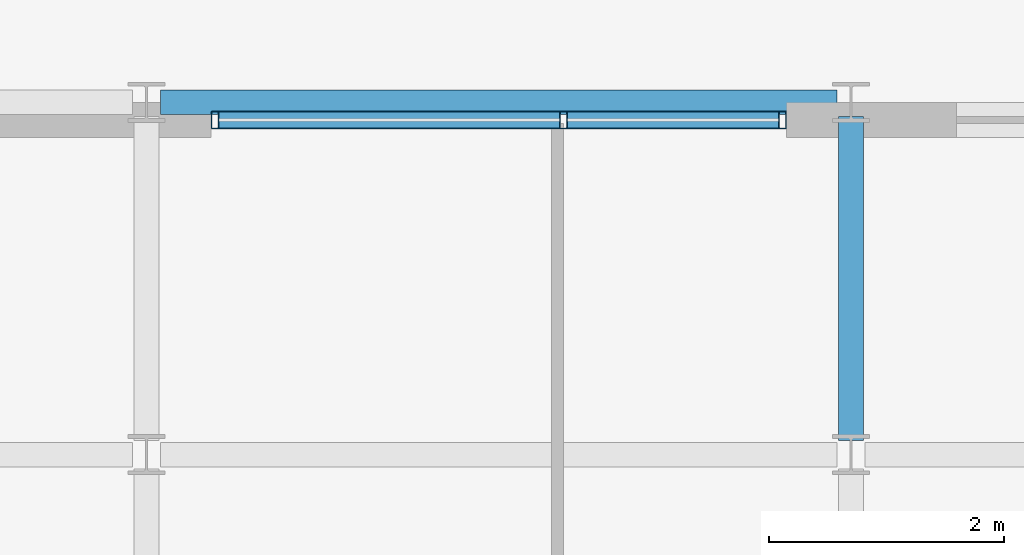
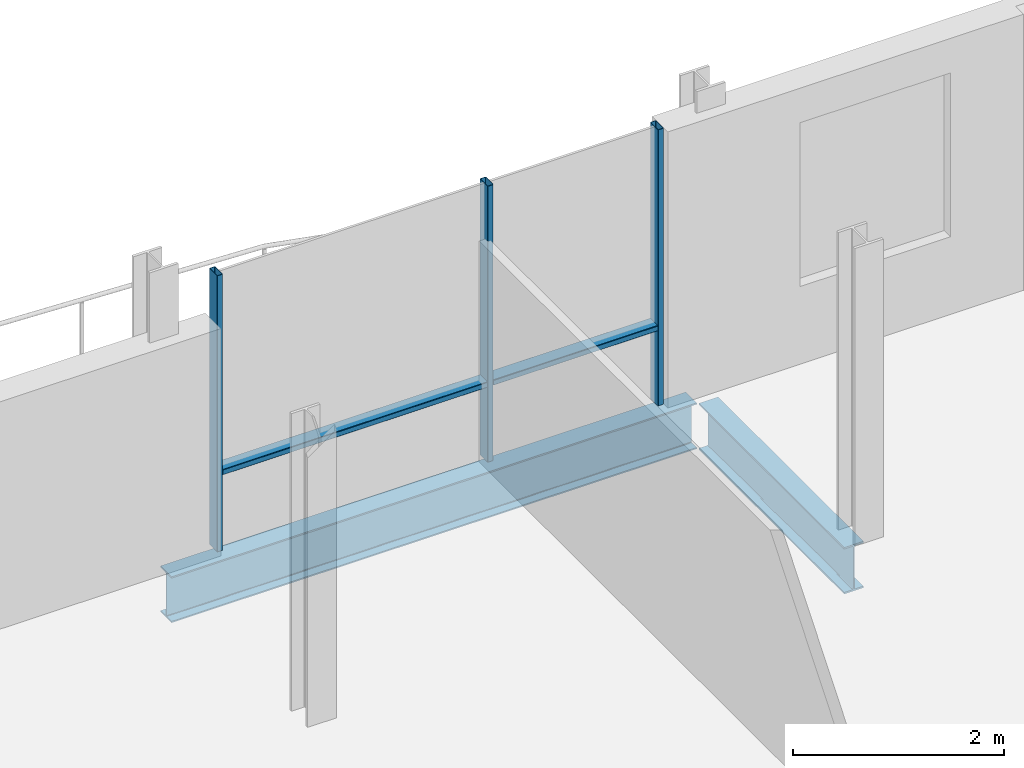
# One storey, part 4 of 12: 5 members, 2 beams, 1 element without a shape of its own.
"""IFC4 building model written with IfcOpenShell, lengths in metres."""

from ifc_helpers import new_model, si_unit, direction, frame, origin, origin_2d, place, context, subcontext, project, spatial, hollow_rectangle, i_section, extrude, material, layer, layer_set, material_profile, profile_set, type_object, element, aggregate, save


model = new_model("IFC4")

# Units and contexts
model_context = context("Model", 3, precision=1e-05, world=origin(), true_north=direction((0.0, 1.0)))
body_context = subcontext(model_context, "Body", "Model", "MODEL_VIEW")
ifc_project = project(units=[si_unit("LENGTHUNIT", "METRE"), si_unit("AREAUNIT", "SQUARE_METRE"), si_unit("VOLUMEUNIT", "CUBIC_METRE"), si_unit("PLANEANGLEUNIT", "RADIAN"), si_unit("MASSUNIT", "GRAM", prefix="KILO")], contexts=[model_context])

# Site, building, storey
site_placement = place(None, origin())
site = spatial("IfcSite", under=ifc_project, at=site_placement, CompositionType="ELEMENT")
building_placement = place(site_placement, origin())
building = spatial("IfcBuilding", under=site, at=building_placement, Name="Brevholm Reach", CompositionType="ELEMENT")
storey_placement = place(building_placement, frame((0.0, 0.0, 236.60009765625)))
storey = spatial("IfcBuildingStorey", under=building, at=storey_placement, Name="L72", CompositionType="ELEMENT", Elevation=236.60009765625)

# Beams
ifc_material_1 = material(Name="Structural Steel S355J2", Category="steel")
ifc_material_profile_1 = material_profile(ifc_material_1, i_section(OverallWidth=0.209228515625, OverallDepth=0.533203125, WebThickness=0.010009765625, FlangeThickness=0.015625, FilletRadius=0.0126953125, at=origin_2d()), Name="UKB 533x210x92")
ifc_profile_set_1 = profile_set([ifc_material_profile_1], Name="Structural Steel S355J2")
beam_type_1 = type_object("IfcBeamType", Name="BM-SP533", PredefinedType="SPANDREL", material=ifc_profile_set_1)
beam_1_placement = place(storey_placement, frame((48.1201171875, 26.5, -0.4765625), z_axis=(1.0, 0.0, 0.0), x_axis=(0.0, 1.0, 0.0)))
element("IfcBeam", 1, at=beam_1_placement, inside=storey, type_object=beam_type_1, Name="L72 SP-02 Framing Beam", PredefinedType="SPANDREL", context=body_context, shape_type="SweptSolid", body=[
    extrude(i_section(OverallWidth=0.209228515625, OverallDepth=0.533203125, WebThickness=0.010009765625, FlangeThickness=0.015625, FilletRadius=0.0126953125, at=origin_2d()), origin(), (0.0, 0.0, 1.0), 5.759765625),
])
ifc_material_2 = material(Name="Structural Steel S355J2", Category="steel")
ifc_material_profile_2 = material_profile(ifc_material_2, i_section(OverallWidth=0.210693359375, OverallDepth=0.53955078125, WebThickness=0.01171875, FlangeThickness=0.018798828125, FilletRadius=0.0126953125, at=origin_2d()), Name="UKB 533x210x109")
ifc_profile_set_2 = profile_set([ifc_material_profile_2], Name="Structural Steel S355J2")
beam_type_2 = type_object("IfcBeamType", Name="BM-SP539", PredefinedType="SPANDREL", material=ifc_profile_set_2)
beam_2_placement = place(storey_placement, frame((54.0, 23.6201171875, -0.479736328125), z_axis=(0.0, 1.0, 0.0), x_axis=(-1.0, 0.0, 0.0)))
element("IfcBeam", 2, at=beam_2_placement, inside=storey, type_object=beam_type_2, Name="L72 SP-01B Framing Beam", PredefinedType="SPANDREL", context=body_context, shape_type="SweptSolid", body=[
    extrude(i_section(OverallWidth=0.210693359375, OverallDepth=0.53955078125, WebThickness=0.01171875, FlangeThickness=0.018798828125, FilletRadius=0.0126953125, at=origin_2d()), origin(), (0.0, 0.0, 1.0), 2.759765625),
])

# Curtain wall, members
ifc_material_3 = material(Name="Dark Anodised Aluminium 6063-T6 and Solar-Control Glass", Category="aluminium")
ifc_layer = layer(ifc_material_3, 0.14990234375)
ifc_layer_set = layer_set([ifc_layer], Name="Dark Anodised Aluminium 6063-T6 and Solar-Control Glass")
curtain_wall_type = type_object("IfcCurtainWallType", Name="CW-01", PredefinedType="NOTDEFINED", material=ifc_layer_set)
curtain_wall_placement = place(storey_placement, origin())
curtain_wall = element("IfcCurtainWall", 3, at=curtain_wall_placement, inside=storey, type_object=curtain_wall_type, Name="L72 Curtain Wall CW-01", PredefinedType="NOTDEFINED")
ifc_material_4 = material(Name="Dark Anodised Aluminium 6063-T6", Category="aluminium")
ifc_material_profile_3 = material_profile(ifc_material_4, hollow_rectangle(XDim=0.06494140625, YDim=0.14990234375, WallThickness=0.0048828125, InnerFilletRadius=0.0048828125, OuterFilletRadius=0.010009765625, at=origin_2d()), Name="RHS 150x65x5")
ifc_profile_set_3 = profile_set([ifc_material_profile_3], Name="Dark Anodised Aluminium 6063-T6")
member_type_1 = type_object("IfcMemberType", Name="CWM-150", PredefinedType="MULLION", material=ifc_profile_set_3)
member_1_placement = place(storey_placement, frame((48.58251953125, 26.35009765625, 0.0), z_axis=(0.0, 0.0, 1.0), x_axis=(1.0, 0.0, 0.0)))
member_1 = element("IfcMember", 4, at=member_1_placement, type_object=member_type_1, Name="CM-150 Mullion 1", PredefinedType="MULLION", context=body_context, shape_type="SweptSolid", body=[
    extrude(hollow_rectangle(XDim=0.06494140625, YDim=0.14990234375, WallThickness=0.0048828125, InnerFilletRadius=0.0048828125, OuterFilletRadius=0.010009765625, at=origin_2d()), origin(), (0.0, 0.0, 1.0), 3.199951171875),
])
member_2_placement = place(storey_placement, frame((51.550048828125, 26.35009765625, 0.0), z_axis=(0.0, 0.0, 1.0), x_axis=(1.0, 0.0, 0.0)))
member_2 = element("IfcMember", 5, at=member_2_placement, type_object=member_type_1, Name="CM-150 Mullion 2", PredefinedType="MULLION", context=body_context, shape_type="SweptSolid", body=[
    extrude(hollow_rectangle(XDim=0.06494140625, YDim=0.14990234375, WallThickness=0.0048828125, InnerFilletRadius=0.0048828125, OuterFilletRadius=0.010009765625, at=origin_2d()), origin(), (0.0, 0.0, 1.0), 3.199951171875),
])
member_3_placement = place(storey_placement, frame((53.41748046875, 26.35009765625, 0.0), z_axis=(0.0, 0.0, 1.0), x_axis=(1.0, 0.0, 0.0)))
member_3 = element("IfcMember", 6, at=member_3_placement, type_object=member_type_1, Name="CM-150 Mullion 3", PredefinedType="MULLION", context=body_context, shape_type="SweptSolid", body=[
    extrude(hollow_rectangle(XDim=0.06494140625, YDim=0.14990234375, WallThickness=0.0048828125, InnerFilletRadius=0.0048828125, OuterFilletRadius=0.010009765625, at=origin_2d()), origin(), (0.0, 0.0, 1.0), 3.199951171875),
])
ifc_material_5 = material(Name="Dark Anodised Aluminium 6063-T6", Category="aluminium")
ifc_material_profile_4 = material_profile(ifc_material_5, hollow_rectangle(XDim=0.06494140625, YDim=0.14990234375, WallThickness=0.0048828125, InnerFilletRadius=0.0048828125, OuterFilletRadius=0.010009765625, at=origin_2d()), Name="RHS 150x65x5")
ifc_profile_set_4 = profile_set([ifc_material_profile_4], Name="Dark Anodised Aluminium 6063-T6")
member_type_2 = type_object("IfcMemberType", Name="CWT-150", PredefinedType="NOTDEFINED", material=ifc_profile_set_4)
member_4_placement = place(storey_placement, frame((48.614990234375, 26.35009765625, 0.89990234375), z_axis=(1.0, 0.0, 0.0), x_axis=(0.0, 0.0, 1.0)))
member_4 = element("IfcMember", 7, at=member_4_placement, type_object=member_type_2, Name="CT-150 Transom 1.1", ObjectType="TRANSOM", PredefinedType="USERDEFINED", context=body_context, shape_type="SweptSolid", body=[
    extrude(hollow_rectangle(XDim=0.06494140625, YDim=0.14990234375, WallThickness=0.0048828125, InnerFilletRadius=0.0048828125, OuterFilletRadius=0.010009765625, at=origin_2d()), origin(), (0.0, 0.0, 1.0), 2.902587890625),
])
member_5_placement = place(storey_placement, frame((51.58251953125, 26.35009765625, 0.89990234375), z_axis=(1.0, 0.0, 0.0), x_axis=(0.0, 0.0, 1.0)))
member_5 = element("IfcMember", 8, at=member_5_placement, type_object=member_type_2, Name="CT-150 Transom 2.1", ObjectType="TRANSOM", PredefinedType="USERDEFINED", context=body_context, shape_type="SweptSolid", body=[
    extrude(hollow_rectangle(XDim=0.06494140625, YDim=0.14990234375, WallThickness=0.0048828125, InnerFilletRadius=0.0048828125, OuterFilletRadius=0.010009765625, at=origin_2d()), origin(), (0.0, 0.0, 1.0), 1.802490234375),
])
aggregate(curtain_wall, [member_1, member_2, member_3, member_4, member_5])

save(model, "model.ifc")
